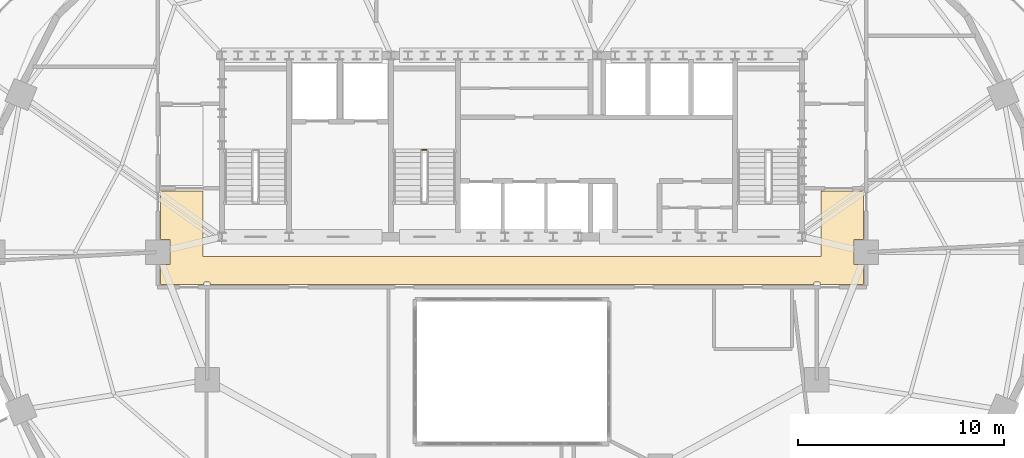
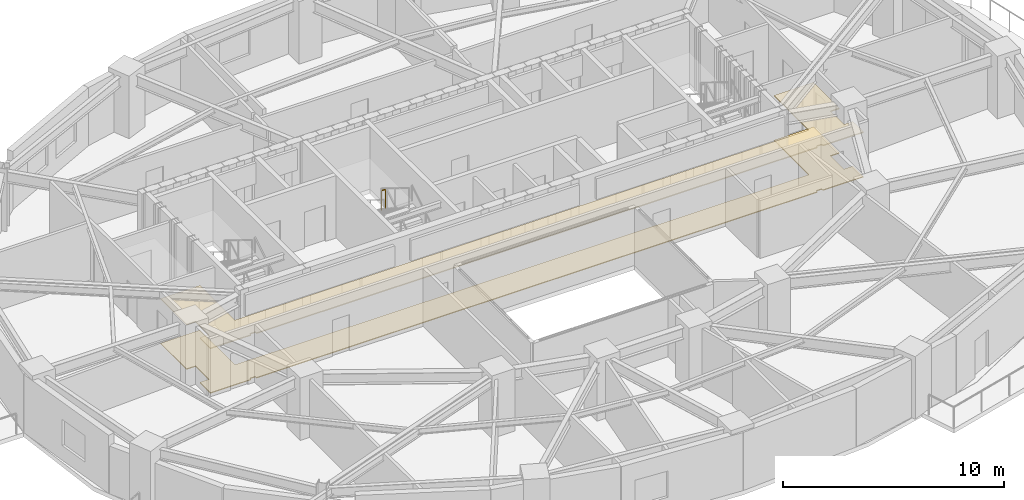
# One storey, part 10 of 11: 2 coverings, 1 railing.
"""IFC4 building model written with IfcOpenShell, lengths in metres."""

from ifc_helpers import new_model, si_unit, direction, frame, origin, origin_2d, place, context, subcontext, project, spatial, polyline, rectangle, outline, extrude, material, layer, layer_set, type_object, element, save


model = new_model("IFC4")

# Units and contexts
model_context = context("Model", 3, precision=1e-05, world=origin(), true_north=direction((0.0, 1.0)))
body_context = subcontext(model_context, "Body", "Model", "MODEL_VIEW")
ifc_project = project(units=[si_unit("LENGTHUNIT", "METRE"), si_unit("AREAUNIT", "SQUARE_METRE"), si_unit("VOLUMEUNIT", "CUBIC_METRE"), si_unit("PLANEANGLEUNIT", "RADIAN"), si_unit("MASSUNIT", "GRAM", prefix="KILO")], contexts=[model_context])

# Site, building, storey
site_placement = place(None, origin())
site = spatial("IfcSite", under=ifc_project, at=site_placement, CompositionType="ELEMENT")
building_placement = place(site_placement, origin())
building = spatial("IfcBuilding", under=site, at=building_placement, Name="Haldorwick Loom Tower", CompositionType="ELEMENT")
storey_placement = place(building_placement, frame((0.0, 0.0, 168.25)))
storey = spatial("IfcBuildingStorey", under=building, at=storey_placement, Name="L45", CompositionType="ELEMENT", Elevation=168.25)

# Coverings
ifc_material_1 = material(Name="Mineral Fibre Acoustic Ceiling Tile")
ifc_layer_1 = layer(ifc_material_1, 0.054931640625, Name="Mineral Fibre Acoustic Ceiling Tile")
ifc_layer_set_1 = layer_set([ifc_layer_1], Name="Mineral Fibre Acoustic Ceiling Tile")
covering_type_1 = type_object("IfcCoveringType", Name="ARC-COV-CEIL2", PredefinedType="CEILING", material=ifc_layer_set_1)
covering_1_placement = place(storey_placement, frame((0.0, 0.0, 2.4580078125)))
element("IfcCovering", 1, at=covering_1_placement, inside=storey, type_object=covering_type_1, Name="L45 Acoustic Suspended Ceiling 1", PredefinedType="CEILING", context=body_context, shape_type="SweptSolid", body=[
    extrude(outline(polyline([(51.0, 28.9599609375), (51.0, 25.800048828125), (21.0, 25.800048828125), (21.0, 28.9599609375), (18.93994140625, 28.9599609375), (18.93994140625, 26.60791015625), (19.407958984375, 26.60791015625), (19.407958984375, 25.39208984375), (18.93994140625, 25.39208984375), (18.93994140625, 24.43994140625), (21.06005859375, 24.43994140625), (21.06005859375, 24.52001953125), (21.06005859375, 24.52197265625), (21.060302734375, 24.52392578125), (21.060791015625, 24.52587890625), (21.0615234375, 24.527587890625), (21.0625, 24.529296875), (21.0634765625, 24.531005859375), (21.064453125, 24.53271484375), (21.06591796875, 24.5341796875), (21.0673828125, 24.535400390625), (21.06884765625, 24.53662109375), (21.070556640625, 24.53759765625), (21.072265625, 24.53857421875), (21.07421875, 24.5390625), (21.076171875, 24.53955078125), (21.077880859375, 24.539794921875), (21.080078125, 24.5400390625), (21.320068359375, 24.5400390625), (21.322021484375, 24.539794921875), (21.323974609375, 24.53955078125), (21.32568359375, 24.5390625), (21.32763671875, 24.53857421875), (21.329345703125, 24.53759765625), (21.3310546875, 24.53662109375), (21.332763671875, 24.535400390625), (21.333984375, 24.5341796875), (21.33544921875, 24.53271484375), (21.336669921875, 24.531005859375), (21.337646484375, 24.529296875), (21.33837890625, 24.527587890625), (21.339111328125, 24.52587890625), (21.339599609375, 24.52392578125), (21.33984375, 24.52197265625), (21.340087890625, 24.52001953125), (21.340087890625, 24.43994140625), (50.659912109375, 24.43994140625), (50.659912109375, 24.52001953125), (50.66015625, 24.52197265625), (50.660400390625, 24.52392578125), (50.660888671875, 24.52587890625), (50.66162109375, 24.527587890625), (50.662353515625, 24.529296875), (50.663330078125, 24.531005859375), (50.66455078125, 24.53271484375), (50.666015625, 24.5341796875), (50.667236328125, 24.535400390625), (50.6689453125, 24.53662109375), (50.670654296875, 24.53759765625), (50.67236328125, 24.53857421875), (50.67431640625, 24.5390625), (50.676025390625, 24.53955078125), (50.677978515625, 24.539794921875), (50.679931640625, 24.5400390625), (50.919921875, 24.5400390625), (50.922119140625, 24.539794921875), (50.923828125, 24.53955078125), (50.92578125, 24.5390625), (50.927734375, 24.53857421875), (50.929443359375, 24.53759765625), (50.93115234375, 24.53662109375), (50.9326171875, 24.535400390625), (50.93408203125, 24.5341796875), (50.935546875, 24.53271484375), (50.9365234375, 24.531005859375), (50.9375, 24.529296875), (50.9384765625, 24.527587890625), (50.939208984375, 24.52587890625), (50.939697265625, 24.52392578125), (50.93994140625, 24.52197265625), (50.93994140625, 24.52001953125), (50.93994140625, 24.43994140625), (53.06005859375, 24.43994140625), (53.06005859375, 25.39208984375), (52.592041015625, 25.39208984375), (52.592041015625, 26.60791015625), (53.06005859375, 26.60791015625), (53.06005859375, 28.9599609375), (51.0, 28.9599609375)])), origin(), (0.0, 0.0, 1.0), 0.054931640625),
])
ifc_material_2 = material(Name="Polished Aggregate Terrazzo Finish")
ifc_layer_2 = layer(ifc_material_2, 0.044921875, Name="Polished Aggregate Terrazzo Finish")
ifc_layer_set_2 = layer_set([ifc_layer_2], Name="Polished Aggregate Terrazzo Finish")
covering_type_2 = type_object("IfcCoveringType", Name="ARC-COV-FLOOR2", PredefinedType="FLOORING", material=ifc_layer_set_2)
covering_2_placement = place(storey_placement, origin())
element("IfcCovering", 2, at=covering_2_placement, inside=storey, type_object=covering_type_2, Name="L45 Floor Finish 1", PredefinedType="FLOORING", context=body_context, shape_type="SweptSolid", body=[
    extrude(outline(polyline([(51.0, 28.9599609375), (51.0, 25.800048828125), (21.0, 25.800048828125), (21.0, 28.9599609375), (18.93994140625, 28.9599609375), (18.93994140625, 26.60791015625), (19.407958984375, 26.60791015625), (19.407958984375, 25.39208984375), (18.93994140625, 25.39208984375), (18.93994140625, 24.43994140625), (21.06005859375, 24.43994140625), (21.06005859375, 24.52001953125), (21.06005859375, 24.52197265625), (21.060302734375, 24.52392578125), (21.060791015625, 24.52587890625), (21.0615234375, 24.527587890625), (21.0625, 24.529296875), (21.0634765625, 24.531005859375), (21.064453125, 24.53271484375), (21.06591796875, 24.5341796875), (21.0673828125, 24.535400390625), (21.06884765625, 24.53662109375), (21.070556640625, 24.53759765625), (21.072265625, 24.53857421875), (21.07421875, 24.5390625), (21.076171875, 24.53955078125), (21.077880859375, 24.539794921875), (21.080078125, 24.5400390625), (21.320068359375, 24.5400390625), (21.322021484375, 24.539794921875), (21.323974609375, 24.53955078125), (21.32568359375, 24.5390625), (21.32763671875, 24.53857421875), (21.329345703125, 24.53759765625), (21.3310546875, 24.53662109375), (21.332763671875, 24.535400390625), (21.333984375, 24.5341796875), (21.33544921875, 24.53271484375), (21.336669921875, 24.531005859375), (21.337646484375, 24.529296875), (21.33837890625, 24.527587890625), (21.339111328125, 24.52587890625), (21.339599609375, 24.52392578125), (21.33984375, 24.52197265625), (21.340087890625, 24.52001953125), (21.340087890625, 24.43994140625), (50.659912109375, 24.43994140625), (50.659912109375, 24.52001953125), (50.66015625, 24.52197265625), (50.660400390625, 24.52392578125), (50.660888671875, 24.52587890625), (50.66162109375, 24.527587890625), (50.662353515625, 24.529296875), (50.663330078125, 24.531005859375), (50.66455078125, 24.53271484375), (50.666015625, 24.5341796875), (50.667236328125, 24.535400390625), (50.6689453125, 24.53662109375), (50.670654296875, 24.53759765625), (50.67236328125, 24.53857421875), (50.67431640625, 24.5390625), (50.676025390625, 24.53955078125), (50.677978515625, 24.539794921875), (50.679931640625, 24.5400390625), (50.919921875, 24.5400390625), (50.922119140625, 24.539794921875), (50.923828125, 24.53955078125), (50.92578125, 24.5390625), (50.927734375, 24.53857421875), (50.929443359375, 24.53759765625), (50.93115234375, 24.53662109375), (50.9326171875, 24.535400390625), (50.93408203125, 24.5341796875), (50.935546875, 24.53271484375), (50.9365234375, 24.531005859375), (50.9375, 24.529296875), (50.9384765625, 24.527587890625), (50.939208984375, 24.52587890625), (50.939697265625, 24.52392578125), (50.93994140625, 24.52197265625), (50.93994140625, 24.52001953125), (50.93994140625, 24.43994140625), (53.06005859375, 24.43994140625), (53.06005859375, 25.39208984375), (52.592041015625, 25.39208984375), (52.592041015625, 26.60791015625), (53.06005859375, 26.60791015625), (53.06005859375, 28.9599609375), (51.0, 28.9599609375)])), origin(), (0.0, 0.0, 1.0), 0.044921875),
])

# Railing
ifc_material_3 = material(Name="Steel CSA G40.21 350W", Category="steel")
railing_type = type_object("IfcRailingType", Name="ARC-RLG-GUARD112", PredefinedType="GUARDRAIL", material=ifc_material_3)
railing_placement = place(storey_placement, frame((31.85009765625, 30.969970703125, 1.72509765625)))
element("IfcRailing", 3, at=railing_placement, inside=storey, type_object=railing_type, Name="L45 ST-03 stair guard 2", PredefinedType="GUARDRAIL", context=body_context, shape_type="SweptSolid", body=[
    extrude(rectangle(XDim=0.048095703125, YDim=0.048095703125, at=origin_2d()), frame((0.0, 0.0, 1.076171875), z_axis=(-1.0, 0.0, 0.0), x_axis=(0.0, -1.0, 0.0)), (0.0, 0.0, 1.0), 0.2001953125),
    extrude(rectangle(XDim=0.0419921875, YDim=0.0419921875, at=origin_2d()), origin(), (0.0, 0.0, 1.0), 1.052001953125),
    extrude(rectangle(XDim=0.0419921875, YDim=0.0419921875, at=origin_2d()), frame((-0.2001953125, 0.0, 0.0)), (0.0, 0.0, 1.0), 1.052001953125),
])

save(model, "model.ifc")
